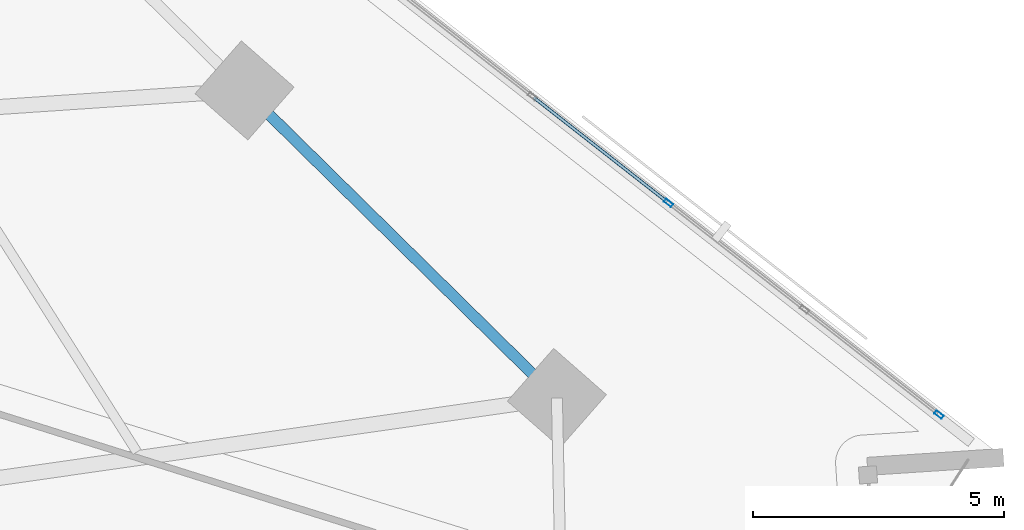
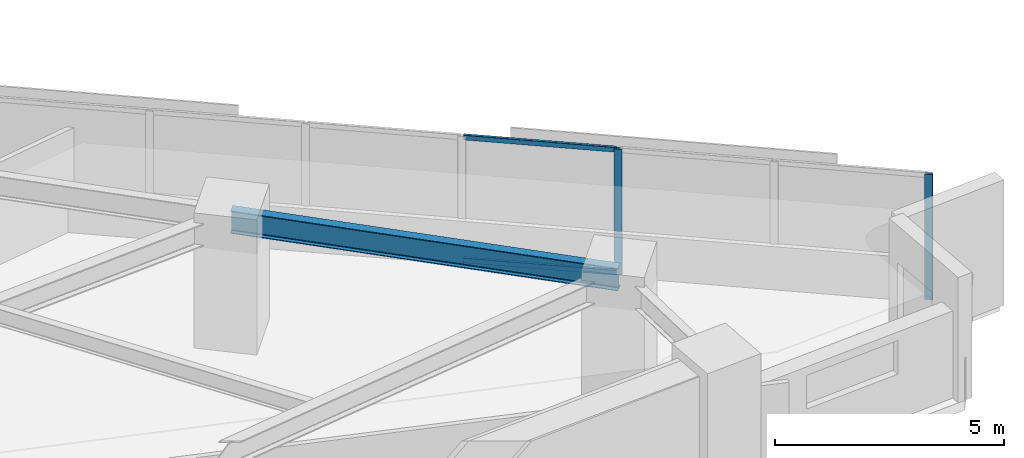
# One storey, part 4 of 15: 4 members, 1 beam, 1 element without a shape of its own.
"""IFC4 building model written with IfcOpenShell, lengths in metres."""

from ifc_helpers import new_model, si_unit, direction, frame, origin, origin_2d, place, context, subcontext, project, spatial, hollow_rectangle, i_section, extrude, material, material_profile, profile_set, type_object, element, aggregate, save


model = new_model("IFC4")

# Units and contexts
model_context = context("Model", 3, precision=1e-05, world=origin(), true_north=direction((0.0, 1.0)))
body_context = subcontext(model_context, "Body", "Model", "MODEL_VIEW")
ifc_project = project(units=[si_unit("LENGTHUNIT", "METRE"), si_unit("AREAUNIT", "SQUARE_METRE"), si_unit("VOLUMEUNIT", "CUBIC_METRE"), si_unit("PLANEANGLEUNIT", "RADIAN"), si_unit("MASSUNIT", "GRAM", prefix="KILO")], contexts=[model_context])

# Site, building, storey
site_placement = place(None, origin())
site = spatial("IfcSite", under=ifc_project, at=site_placement, CompositionType="ELEMENT")
building_placement = place(site_placement, origin())
building = spatial("IfcBuilding", under=site, at=building_placement, Name="Narakoshi Arena Tower", CompositionType="ELEMENT")
storey_placement = place(building_placement, frame((0.0, 0.0, 70.5)))
storey = spatial("IfcBuildingStorey", under=building, at=storey_placement, Name="L18", CompositionType="ELEMENT", Elevation=70.5)

# Beam
ifc_material_1 = material(Name="Structural steel S355J2", Category="steel")
ifc_material_profile_1 = material_profile(ifc_material_1, i_section(OverallWidth=0.219970703125, OverallDepth=0.60009765625, WebThickness=0.011962890625, FlangeThickness=0.01904296875, FilletRadius=0.02392578125, at=origin_2d()), Name="IPE600")
ifc_profile_set_1 = profile_set([ifc_material_profile_1], Name="Structural steel S355J2")
beam_type = type_object("IfcBeamType", Name="BM-EDGE-600", PredefinedType="BEAM", material=ifc_profile_set_1)
beam_placement = place(storey_placement, frame((113.21630859375, 38.669189453125, 3.0400390625), z_axis=(-0.712519972485, 0.701651828765, 0.0), x_axis=(-0.701651828765, -0.712519972485, 0.0)))
element("IfcBeam", 1, at=beam_placement, inside=storey, type_object=beam_type, Name="L18 Perimeter Edge Girder 05", PredefinedType="BEAM", context=body_context, shape_type="SweptSolid", body=[
    extrude(i_section(OverallWidth=0.219970703125, OverallDepth=0.60009765625, WebThickness=0.011962890625, FlangeThickness=0.01904296875, FilletRadius=0.02392578125, at=origin_2d()), origin(), (0.0, 0.0, 1.0), 8.738525390625),
])

# Curtain wall, members
ifc_material_2 = material(Name="Anodised bronze aluminium 6063-T6", Category="aluminium")
curtain_wall_type = type_object("IfcCurtainWallType", Name="CW-HYP-LOW", PredefinedType="NOTDEFINED", material=ifc_material_2)
curtain_wall_placement = place(storey_placement, origin())
curtain_wall = element("IfcCurtainWall", 2, at=curtain_wall_placement, inside=storey, type_object=curtain_wall_type, Name="L18 Folded Hypotenuse Curtain Wall 1-1", PredefinedType="NOTDEFINED")
ifc_material_profile_2 = material_profile(ifc_material_2, hollow_rectangle(XDim=0.074951171875, YDim=0.179931640625, WallThickness=0.00390625, OuterFilletRadius=0.0048828125, at=origin_2d()), Name="MUL180x75x4")
ifc_profile_set_2 = profile_set([ifc_material_profile_2], Name="Anodised bronze aluminium 6063-T6")
member_type_1 = type_object("IfcMemberType", Name="MEM-MUL-180", PredefinedType="MULLION", material=ifc_profile_set_2)
member_1_placement = place(storey_placement, frame((120.83251953125, 38.336181640625, 0.0), z_axis=(0.0, 0.0, 1.0), x_axis=(-0.616458234641, -0.787387607817, 0.0)))
member_1 = element("IfcMember", 3, at=member_1_placement, type_object=member_type_1, Name="CW-01 mullion 1", PredefinedType="MULLION", context=body_context, shape_type="SweptSolid", body=[
    extrude(hollow_rectangle(XDim=0.074951171875, YDim=0.179931640625, WallThickness=0.00390625, OuterFilletRadius=0.0048828125, at=origin_2d()), origin(), (0.0, 0.0, 1.0), 3.340087890625),
])
member_2_placement = place(storey_placement, frame((115.43896484375, 42.558837890625, 0.0), z_axis=(0.0, 0.0, 1.0), x_axis=(-0.616458234641, -0.787387607817, 0.0)))
member_2 = element("IfcMember", 4, at=member_2_placement, type_object=member_type_1, Name="CW-01 mullion 3", PredefinedType="MULLION", context=body_context, shape_type="SweptSolid", body=[
    extrude(hollow_rectangle(XDim=0.074951171875, YDim=0.179931640625, WallThickness=0.00390625, OuterFilletRadius=0.0048828125, at=origin_2d()), origin(), (0.0, 0.0, 1.0), 3.340087890625),
])
ifc_material_profile_3 = material_profile(ifc_material_2, hollow_rectangle(XDim=0.06494140625, YDim=0.1298828125, WallThickness=0.00390625, OuterFilletRadius=0.0048828125, at=origin_2d()), Name="TRN130x65x4")
ifc_profile_set_3 = profile_set([ifc_material_profile_3], Name="Anodised bronze aluminium 6063-T6")
member_type_2 = type_object("IfcMemberType", Name="MEM-TRN-130", PredefinedType="USERDEFINED", material=ifc_profile_set_3)
member_3_placement = place(storey_placement, frame((115.409423828125, 42.58203125, 0.032470703125), z_axis=(-0.787373456673, 0.616476309137, 0.0), x_axis=(-0.616476309137, -0.787373456673, 0.0)))
member_3 = element("IfcMember", 5, at=member_3_placement, type_object=member_type_2, Name="CW-01 transom 3.1", ObjectType="TRANSOM", PredefinedType="USERDEFINED", context=body_context, shape_type="SweptSolid", body=[
    extrude(hollow_rectangle(XDim=0.06494140625, YDim=0.1298828125, WallThickness=0.00390625, OuterFilletRadius=0.0048828125, at=origin_2d()), origin(), (0.0, 0.0, 1.0), 3.36865234375),
])
member_4_placement = place(storey_placement, frame((115.409423828125, 42.58203125, 3.3076171875), z_axis=(-0.787373456673, 0.616476309137, 0.0), x_axis=(-0.616476309137, -0.787373456673, 0.0)))
member_4 = element("IfcMember", 6, at=member_4_placement, type_object=member_type_2, Name="CW-01 transom 3.2", ObjectType="TRANSOM", PredefinedType="USERDEFINED", context=body_context, shape_type="SweptSolid", body=[
    extrude(hollow_rectangle(XDim=0.06494140625, YDim=0.1298828125, WallThickness=0.00390625, OuterFilletRadius=0.0048828125, at=origin_2d()), origin(), (0.0, 0.0, 1.0), 3.36865234375),
])
aggregate(curtain_wall, [member_1, member_2, member_3, member_4])

save(model, "model.ifc")
